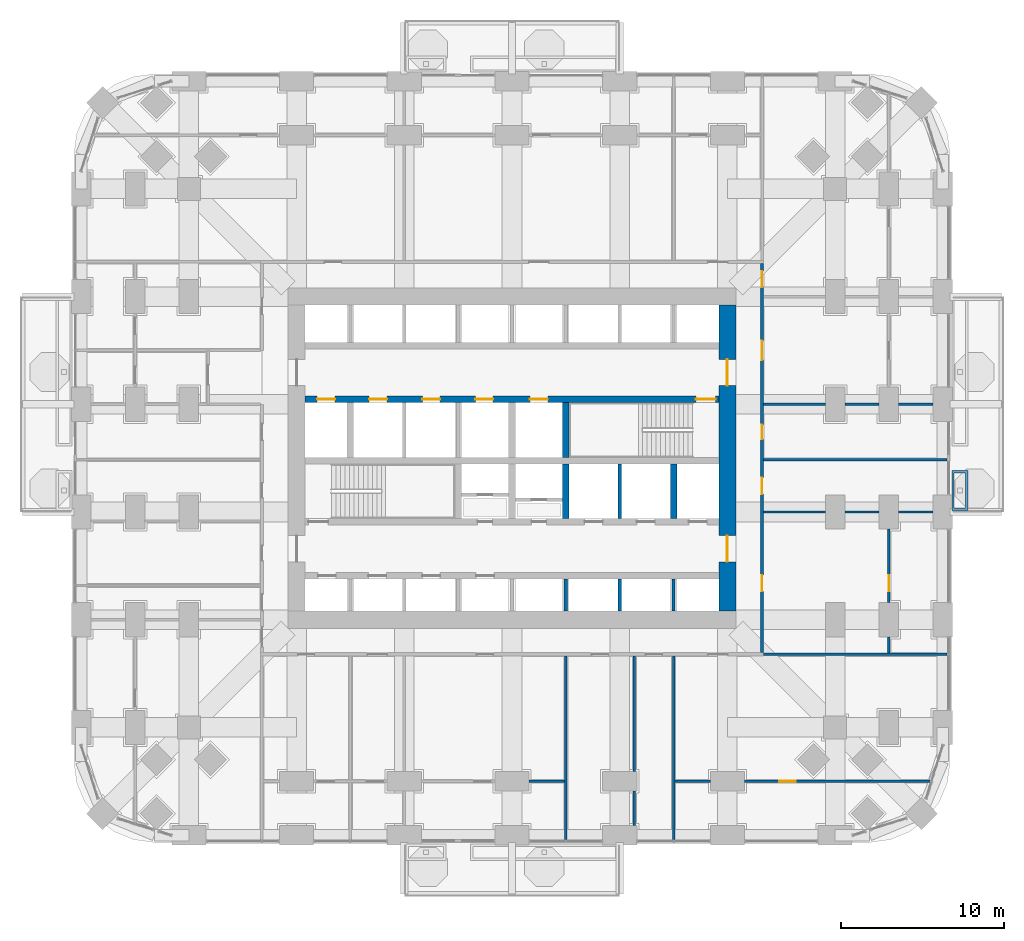
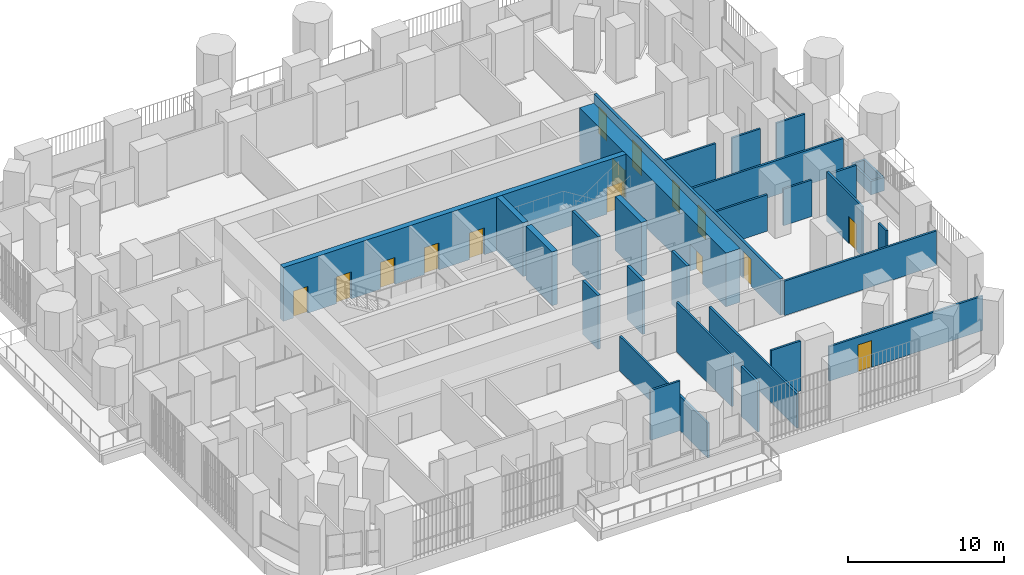
# One storey, part 19 of 26: 28 walls, 15 doors, 15 openings.
"""IFC4 building model written with IfcOpenShell, lengths in metres."""

from ifc_helpers import new_model, si_unit, direction, frame, frame_2d, origin, place, context, subcontext, project, spatial, polyline, rectangle, outline, extrude, material, layer, layer_set, type_object, element, fill, save


model = new_model("IFC4")

# Units and contexts
model_context = context("Model", 3, precision=1e-05, world=origin(), true_north=direction((0.0, 1.0)))
body_context = subcontext(model_context, "Body", "Model", "MODEL_VIEW")
ifc_project = project(units=[si_unit("LENGTHUNIT", "METRE"), si_unit("AREAUNIT", "SQUARE_METRE"), si_unit("VOLUMEUNIT", "CUBIC_METRE"), si_unit("PLANEANGLEUNIT", "RADIAN"), si_unit("MASSUNIT", "GRAM", prefix="KILO")], contexts=[model_context])

# Site, building, storey
site_placement = place(None, origin())
site = spatial("IfcSite", under=ifc_project, at=site_placement, CompositionType="ELEMENT")
building_placement = place(site_placement, origin())
building = spatial("IfcBuilding", under=site, at=building_placement, Name="Cobogo Forest Laboratory Tower", CompositionType="ELEMENT")
storey_placement = place(building_placement, frame((0.0, 0.0, 42.300048828125)))
storey = spatial("IfcBuildingStorey", under=building, at=storey_placement, Name="L09", CompositionType="ELEMENT", Elevation=42.300048828125)

# Wall, openings, doors
ifc_material_1 = material(Name="Concrete HA-50 (C50/60)", Category="concrete")
ifc_layer_1 = layer(ifc_material_1, 0.39990234375)
ifc_layer_set_1 = layer_set([ifc_layer_1], Name="CI400 core inner wall 400")
wall_type_1 = type_object("IfcWallType", Name="CI400 core inner wall 400", PredefinedType="SHEAR", material=ifc_layer_set_1)
wall_1_placement = place(storey_placement, frame((13.72509765625, 26.699951171875, 0.0), z_axis=(0.0, 0.0, 1.0), x_axis=(1.0, 0.0, 0.0)))
wall_1 = element("IfcWall", 1, at=wall_1_placement, inside=storey, type_object=wall_type_1, Name="Core wall CI-26.7 L09", PredefinedType="SHEAR", context=body_context, shape_type="SweptSolid", body=[
    extrude(rectangle(XDim=25.349853515625, YDim=0.39990234375, at=frame_2d((12.6748046875, 0.0))), origin(), (0.0, 0.0, 1.0), 4.199951171875),
])
opening_1_placement = place(wall_1_placement, frame((23.949951171875, 0.0, 0.0)))
opening_1 = element("IfcOpeningElement", 2, at=opening_1_placement, cuts=wall_1, Name="Opening L09-D31", PredefinedType="OPENING", context=body_context, shape_type="SweptSolid", body=[
    extrude(rectangle(XDim=1.199951171875, YDim=2.10009765625, at=frame_2d((0.60009765625, 1.050048828125))), frame((0.0, 0.2099609375, 0.0), z_axis=(0.0, -1.0, 0.0), x_axis=(1.0, 0.0, 0.0)), (0.0, 0.0, 1.0), 0.419921875),
])
opening_2_placement = place(wall_1_placement, frame((0.737548828125, 0.0, 0.0)))
opening_2 = element("IfcOpeningElement", 3, at=opening_2_placement, cuts=wall_1, Name="Opening L09-LD-FL1", PredefinedType="OPENING", context=body_context, shape_type="SweptSolid", body=[
    extrude(rectangle(XDim=1.10009765625, YDim=2.10009765625, at=frame_2d((0.550048828125, 1.050048828125))), frame((0.0, 0.2099609375, 0.0), z_axis=(0.0, -1.0, 0.0), x_axis=(1.0, 0.0, 0.0)), (0.0, 0.0, 1.0), 0.419921875),
])
opening_3_placement = place(wall_1_placement, frame((3.925048828125, 0.0, 0.0)))
opening_3 = element("IfcOpeningElement", 4, at=opening_3_placement, cuts=wall_1, Name="Opening L09-LD-LS3", PredefinedType="OPENING", context=body_context, shape_type="SweptSolid", body=[
    extrude(rectangle(XDim=1.10009765625, YDim=2.10009765625, at=frame_2d((0.550048828125, 1.050048828125))), frame((0.0, 0.2099609375, 0.0), z_axis=(0.0, -1.0, 0.0), x_axis=(1.0, 0.0, 0.0)), (0.0, 0.0, 1.0), 0.419921875),
])
opening_4_placement = place(wall_1_placement, frame((7.175048828125, 0.0, 0.0)))
opening_4 = element("IfcOpeningElement", 5, at=opening_4_placement, cuts=wall_1, Name="Opening L09-LD-LS4", PredefinedType="OPENING", context=body_context, shape_type="SweptSolid", body=[
    extrude(rectangle(XDim=1.10009765625, YDim=2.10009765625, at=frame_2d((0.550048828125, 1.050048828125))), frame((0.0, 0.2099609375, 0.0), z_axis=(0.0, -1.0, 0.0), x_axis=(1.0, 0.0, 0.0)), (0.0, 0.0, 1.0), 0.419921875),
])
opening_5_placement = place(wall_1_placement, frame((10.425048828125, 0.0, 0.0)))
opening_5 = element("IfcOpeningElement", 6, at=opening_5_placement, cuts=wall_1, Name="Opening L09-LD-LS5", PredefinedType="OPENING", context=body_context, shape_type="SweptSolid", body=[
    extrude(rectangle(XDim=1.10009765625, YDim=2.10009765625, at=frame_2d((0.550048828125, 1.050048828125))), frame((0.0, 0.2099609375, 0.0), z_axis=(0.0, -1.0, 0.0), x_axis=(1.0, 0.0, 0.0)), (0.0, 0.0, 1.0), 0.419921875),
])
opening_6_placement = place(wall_1_placement, frame((13.77490234375, 0.0, 0.0)))
opening_6 = element("IfcOpeningElement", 7, at=opening_6_placement, cuts=wall_1, Name="Opening L09-LD-LS6", PredefinedType="OPENING", context=body_context, shape_type="SweptSolid", body=[
    extrude(rectangle(XDim=1.10009765625, YDim=2.10009765625, at=frame_2d((0.550048828125, 1.050048828125))), frame((0.0, 0.2099609375, 0.0), z_axis=(0.0, -1.0, 0.0), x_axis=(1.0, 0.0, 0.0)), (0.0, 0.0, 1.0), 0.419921875),
])
ifc_material_2 = material(Name="Steel fire door", Category="steel")
door_type_1 = type_object("IfcDoorType", Name="DS1 protected stair door 1200 EI2 60", OperationType="SINGLE_SWING_LEFT", PredefinedType="DOOR", material=ifc_material_2)
door_1_placement = place(opening_1_placement, origin())
door_1 = element("IfcDoor", 8, at=door_1_placement, inside=storey, type_object=door_type_1, Name="Door L09-ST2", OperationType="SINGLE_SWING_RIGHT", OverallHeight=2.10009765625, OverallWidth=1.199951171875, PredefinedType="DOOR", context=body_context, shape_type="SweptSolid", body=[
    extrude(rectangle(XDim=1.199951171875, YDim=2.10009765625, at=frame_2d((0.60009765625, 1.050048828125))), frame((0.0, 0.02490234375, 0.0), z_axis=(0.0, -1.0, 0.0), x_axis=(1.0, 0.0, 0.0)), (0.0, 0.0, 1.0), 0.050048828125),
])
fill(opening_1, door_1)
ifc_material_3 = material(Name="Stainless steel lift door", Category="steel")
door_type_2 = type_object("IfcDoorType", Name="LD lift landing door 1100", OperationType="DOUBLE_DOOR_SLIDING", PredefinedType="DOOR", material=ifc_material_3)
door_2_placement = place(opening_2_placement, origin())
door_2 = element("IfcDoor", 9, at=door_2_placement, inside=storey, type_object=door_type_2, Name="Lift landing door FL1 L09", OperationType="DOUBLE_DOOR_SLIDING", OverallHeight=2.10009765625, OverallWidth=1.10009765625, PredefinedType="DOOR", context=body_context, shape_type="SweptSolid", body=[
    extrude(rectangle(XDim=1.10009765625, YDim=2.10009765625, at=frame_2d((0.550048828125, 1.050048828125))), frame((0.0, 0.02490234375, 0.0), z_axis=(0.0, -1.0, 0.0), x_axis=(1.0, 0.0, 0.0)), (0.0, 0.0, 1.0), 0.050048828125),
])
fill(opening_2, door_2)
door_3_placement = place(opening_3_placement, origin())
door_3 = element("IfcDoor", 10, at=door_3_placement, inside=storey, type_object=door_type_2, Name="Lift landing door LS3 L09", OperationType="DOUBLE_DOOR_SLIDING", OverallHeight=2.10009765625, OverallWidth=1.10009765625, PredefinedType="DOOR", context=body_context, shape_type="SweptSolid", body=[
    extrude(rectangle(XDim=1.10009765625, YDim=2.10009765625, at=frame_2d((0.550048828125, 1.050048828125))), frame((0.0, 0.02490234375, 0.0), z_axis=(0.0, -1.0, 0.0), x_axis=(1.0, 0.0, 0.0)), (0.0, 0.0, 1.0), 0.050048828125),
])
fill(opening_3, door_3)
door_4_placement = place(opening_4_placement, origin())
door_4 = element("IfcDoor", 11, at=door_4_placement, inside=storey, type_object=door_type_2, Name="Lift landing door LS4 L09", OperationType="DOUBLE_DOOR_SLIDING", OverallHeight=2.10009765625, OverallWidth=1.10009765625, PredefinedType="DOOR", context=body_context, shape_type="SweptSolid", body=[
    extrude(rectangle(XDim=1.10009765625, YDim=2.10009765625, at=frame_2d((0.550048828125, 1.050048828125))), frame((0.0, 0.02490234375, 0.0), z_axis=(0.0, -1.0, 0.0), x_axis=(1.0, 0.0, 0.0)), (0.0, 0.0, 1.0), 0.050048828125),
])
fill(opening_4, door_4)
door_5_placement = place(opening_5_placement, origin())
door_5 = element("IfcDoor", 12, at=door_5_placement, inside=storey, type_object=door_type_2, Name="Lift landing door LS5 L09", OperationType="DOUBLE_DOOR_SLIDING", OverallHeight=2.10009765625, OverallWidth=1.10009765625, PredefinedType="DOOR", context=body_context, shape_type="SweptSolid", body=[
    extrude(rectangle(XDim=1.10009765625, YDim=2.10009765625, at=frame_2d((0.550048828125, 1.050048828125))), frame((0.0, 0.02490234375, 0.0), z_axis=(0.0, -1.0, 0.0), x_axis=(1.0, 0.0, 0.0)), (0.0, 0.0, 1.0), 0.050048828125),
])
fill(opening_5, door_5)
door_6_placement = place(opening_6_placement, origin())
door_6 = element("IfcDoor", 13, at=door_6_placement, inside=storey, type_object=door_type_2, Name="Lift landing door LS6 L09", OperationType="DOUBLE_DOOR_SLIDING", OverallHeight=2.10009765625, OverallWidth=1.10009765625, PredefinedType="DOOR", context=body_context, shape_type="SweptSolid", body=[
    extrude(rectangle(XDim=1.10009765625, YDim=2.10009765625, at=frame_2d((0.550048828125, 1.050048828125))), frame((0.0, 0.02490234375, 0.0), z_axis=(0.0, -1.0, 0.0), x_axis=(1.0, 0.0, 0.0)), (0.0, 0.0, 1.0), 0.050048828125),
])
fill(opening_6, door_6)

# Walls
for number, where, z_axis, x_axis, name in (
    (14, (29.699951171875, 19.39990234375, 0.0), (0.0, 0.0, 1.0), (0.0, 1.0, 0.0), "Core wall CX-29.7S L09"),
    (15, (36.300048828125, 19.39990234375, 0.0), (0.0, 0.0, 1.0), (0.0, 1.0, 0.0), "Core wall CX-36.3 L09"),
    (16, (29.699951171875, 23.14990234375, 0.0), (0.0, 0.0, 1.0), (0.0, 1.0, 0.0), "Core wall CX-29.7N L09"),
):
    element("IfcWall", number, at=place(storey_placement, frame(where, z_axis=z_axis, x_axis=x_axis)), inside=storey, type_object=wall_type_1, Name=name, PredefinedType="SHEAR", context=body_context, shape_type="SweptSolid", body=[
        extrude(rectangle(XDim=3.35009765625, YDim=0.39990234375, at=frame_2d((1.675048828125, 0.0))), origin(), (0.0, 0.0, 1.0), 4.199951171875),
    ])

# Wall, openings, doors
ifc_layer_2 = layer(ifc_material_1, 1.050048828125)
ifc_layer_set_2 = layer_set([ifc_layer_2], Name="CW1050 core outer wall 1050")
wall_type_2 = type_object("IfcWallType", Name="CW1050 core outer wall 1050", PredefinedType="SHEAR", material=ifc_layer_set_2)
wall_2_placement = place(storey_placement, frame((39.60009765625, 13.72509765625, 0.0), z_axis=(0.0, 0.0, 1.0), x_axis=(0.0, 1.0, 0.0)))
wall_2 = element("IfcWall", 17, at=wall_2_placement, inside=storey, type_object=wall_type_2, Name="Core wall CO-E L09", PredefinedType="SHEAR", context=body_context, shape_type="SweptSolid", body=[
    extrude(rectangle(XDim=18.75, YDim=1.050048828125, at=frame_2d((9.375, 0.0))), origin(), (0.0, 0.0, 1.0), 4.199951171875),
])
opening_7_placement = place(wall_2_placement, frame((3.02490234375, 0.0, 0.0)))
opening_7 = element("IfcOpeningElement", 18, at=opening_7_placement, cuts=wall_2, Name="Opening L09-D19", PredefinedType="OPENING", context=body_context, shape_type="SweptSolid", body=[
    extrude(rectangle(XDim=1.60009765625, YDim=2.10009765625, at=frame_2d((0.800048828125, 1.050048828125))), frame((0.0, 0.534912109375, 0.0), z_axis=(0.0, -1.0, 0.0), x_axis=(1.0, 0.0, 0.0)), (0.0, 0.0, 1.0), 1.070068359375),
])
opening_8_placement = place(wall_2_placement, frame((13.824951171875, 0.0, 0.0)))
opening_8 = element("IfcOpeningElement", 19, at=opening_8_placement, cuts=wall_2, Name="Opening L09-D35", PredefinedType="OPENING", context=body_context, shape_type="SweptSolid", body=[
    extrude(rectangle(XDim=1.60009765625, YDim=2.10009765625, at=frame_2d((0.800048828125, 1.050048828125))), frame((0.0, 0.534912109375, 0.0), z_axis=(0.0, -1.0, 0.0), x_axis=(1.0, 0.0, 0.0)), (0.0, 0.0, 1.0), 1.070068359375),
])
door_type_3 = type_object("IfcDoorType", Name="DS2 protected lobby door pair 1600 EI2 60", OperationType="DOUBLE_DOOR_DOUBLE_SWING", PredefinedType="DOOR", material=ifc_material_2)
door_7_placement = place(opening_7_placement, origin())
door_7 = element("IfcDoor", 20, at=door_7_placement, inside=storey, type_object=door_type_3, Name="Door L09-CO-E-S", OperationType="DOUBLE_DOOR_DOUBLE_SWING", OverallHeight=2.10009765625, OverallWidth=1.60009765625, PredefinedType="DOOR", context=body_context, shape_type="SweptSolid", body=[
    extrude(rectangle(XDim=1.60009765625, YDim=2.10009765625, at=frame_2d((0.800048828125, 1.050048828125))), frame((0.0, 0.02490234375, 0.0), z_axis=(0.0, -1.0, 0.0), x_axis=(1.0, 0.0, 0.0)), (0.0, 0.0, 1.0), 0.050048828125),
])
fill(opening_7, door_7)
door_8_placement = place(opening_8_placement, origin())
door_8 = element("IfcDoor", 21, at=door_8_placement, inside=storey, type_object=door_type_3, Name="Door L09-CO-E-N", OperationType="DOUBLE_DOOR_DOUBLE_SWING", OverallHeight=2.10009765625, OverallWidth=1.60009765625, PredefinedType="DOOR", context=body_context, shape_type="SweptSolid", body=[
    extrude(rectangle(XDim=1.60009765625, YDim=2.10009765625, at=frame_2d((0.800048828125, 1.050048828125))), frame((0.0, 0.02490234375, 0.0), z_axis=(0.0, -1.0, 0.0), x_axis=(1.0, 0.0, 0.0)), (0.0, 0.0, 1.0), 0.050048828125),
])
fill(opening_8, door_8)

# Walls
ifc_material_4 = material(Name="Gypsum board on steel studs", Category="steel")
ifc_layer_3 = layer(ifc_material_4, 0.14990234375)
ifc_layer_set_3 = layer_set([ifc_layer_3], Name="PT1 laboratory partition 150")
wall_type_3 = type_object("IfcWallType", Name="PT1 laboratory partition 150", PredefinedType="PARTITIONING", material=ifc_layer_set_3)
wall_3_placement = place(storey_placement, frame((53.070068359375, 11.074951171875, 0.0), z_axis=(0.0, 0.0, 1.0), x_axis=(-1.0, 0.0, 0.0)))
element("IfcWall", 22, at=wall_3_placement, inside=storey, type_object=wall_type_3, Name="Partition PW-SE L09", PredefinedType="PARTITIONING", context=body_context, shape_type="SweptSolid", body=[
    extrude(rectangle(XDim=11.2451171875, YDim=0.14990234375, at=frame_2d((5.62255859375, 0.0))), origin(), (0.0, 0.0, 1.0), 2.699951171875),
])
for number, where, z_axis, x_axis, name in (
    (23, (27.449951171875, 3.300048828125, 0.0), (0.0, 0.0, 1.0), (1.0, 0.0, 0.0), "Partition STRIP-S-4 L09"),
    (24, (36.375, 3.300048828125, 0.0), (0.0, 0.0, 1.0), (1.0, 0.0, 0.0), "Partition STRIP-S-5 L09"),
):
    element("IfcWall", number, at=place(storey_placement, frame(where, z_axis=z_axis, x_axis=x_axis)), inside=storey, type_object=wall_type_3, Name=name, PredefinedType="PARTITIONING", context=body_context, shape_type="SweptSolid", body=[
        extrude(rectangle(XDim=2.175048828125, YDim=0.14990234375, at=frame_2d((1.08740234375, 0.0))), origin(), (0.0, 0.0, 1.0), 3.89990234375),
    ])

# Wall, opening, door
wall_4_placement = place(storey_placement, frame((40.64990234375, 3.300048828125, 0.0), z_axis=(0.0, 0.0, 1.0), x_axis=(1.0, 0.0, 0.0)))
wall_4 = element("IfcWall", 25, at=wall_4_placement, inside=storey, type_object=wall_type_3, Name="Partition STRIP-S-6 L09", PredefinedType="PARTITIONING", context=body_context, shape_type="SweptSolid", body=[
    extrude(rectangle(XDim=11.3740234375, YDim=0.14990234375, at=frame_2d((5.68701171875, 0.0))), origin(), (0.0, 0.0, 1.0), 2.699951171875),
])
opening_9_placement = place(wall_4_placement, frame((2.14208984375, 0.0, 0.0)))
opening_9 = element("IfcOpeningElement", 26, at=opening_9_placement, cuts=wall_4, Name="Opening L09-D05", PredefinedType="OPENING", context=body_context, shape_type="SweptSolid", body=[
    extrude(rectangle(XDim=1.0, YDim=2.10009765625, at=frame_2d((0.5, 1.050048828125))), frame((0.0, 0.0849609375, 0.0), z_axis=(0.0, -1.0, 0.0), x_axis=(1.0, 0.0, 0.0)), (0.0, 0.0, 1.0), 0.169921875),
])
ifc_material_5 = material(Name="Timber fire door", Category="wood")
door_type_4 = type_object("IfcDoorType", Name="FD2 fire door 1000 EI2 30", OperationType="SINGLE_SWING_LEFT", PredefinedType="DOOR", material=ifc_material_5)
door_9_placement = place(opening_9_placement, origin())
door_9 = element("IfcDoor", 27, at=door_9_placement, inside=storey, type_object=door_type_4, Name="Door L09-S4W", OperationType="SINGLE_SWING_LEFT", OverallHeight=2.10009765625, OverallWidth=1.0, PredefinedType="DOOR", context=body_context, shape_type="SweptSolid", body=[
    extrude(rectangle(XDim=1.0, YDim=2.10009765625, at=frame_2d((0.5, 1.050048828125))), frame((0.0, 0.02490234375, 0.0), z_axis=(0.0, -1.0, 0.0), x_axis=(1.0, 0.0, 0.0)), (0.0, 0.0, 1.0), 0.050048828125),
])
fill(opening_9, door_9)

# Walls
wall_5_placement = place(storey_placement, frame((33.89990234375, 0.60009765625, 0.0), z_axis=(0.0, 0.0, 1.0), x_axis=(0.0, 1.0, 0.0)))
element("IfcWall", 28, at=wall_5_placement, inside=storey, type_object=wall_type_3, Name="Partition SVC-S1-1 L09", PredefinedType="PARTITIONING", context=body_context, shape_type="SweptSolid", body=[
    extrude(rectangle(XDim=2.099853515625, YDim=0.14990234375, at=frame_2d((1.0498046875, 0.0))), origin(), (0.0, 0.0, 1.0), 3.89990234375),
])
wall_6_placement = place(storey_placement, frame((33.89990234375, 3.89990234375, 0.0), z_axis=(0.0, 0.0, 1.0), x_axis=(0.0, 1.0, 0.0)))
element("IfcWall", 29, at=wall_6_placement, inside=storey, type_object=wall_type_3, Name="Partition SVC-S1-2 L09", PredefinedType="PARTITIONING", context=body_context, shape_type="SweptSolid", body=[
    extrude(rectangle(XDim=7.0751953125, YDim=0.14990234375, at=frame_2d((3.53759765625, 0.0))), origin(), (0.0, 0.0, 1.0), 3.89990234375),
])
for number, where, z_axis, x_axis, name in (
    (30, (36.300048828125, -0.27001953125, 0.0), (0.0, 0.0, 1.0), (0.0, 1.0, 0.0), "Partition SVC-S2-1 L09"),
    (31, (29.699951171875, -0.27001953125, 0.0), (0.0, 0.0, 1.0), (0.0, 1.0, 0.0), "Partition CUT-S29.7-1 L09"),
):
    element("IfcWall", number, at=place(storey_placement, frame(where, z_axis=z_axis, x_axis=x_axis)), inside=storey, type_object=wall_type_3, Name=name, PredefinedType="PARTITIONING", context=body_context, shape_type="SweptSolid", body=[
        extrude(rectangle(XDim=11.2451171875, YDim=0.14990234375, at=frame_2d((5.62255859375, 0.0))), origin(), (0.0, 0.0, 1.0), 2.699951171875),
    ])
wall_7_placement = place(storey_placement, frame((49.5, 11.14990234375, 0.0), z_axis=(0.0, 0.0, 1.0), x_axis=(0.0, 1.0, 0.0)))
element("IfcWall", 32, at=wall_7_placement, inside=storey, type_object=wall_type_3, Name="Partition STRIP-E-1 L09", PredefinedType="PARTITIONING", context=body_context, shape_type="SweptSolid", body=[
    extrude(rectangle(XDim=1.0, YDim=0.14990234375, at=frame_2d((0.5, 0.0))), origin(), (0.0, 0.0, 1.0), 3.89990234375),
])

# Wall, opening, door
wall_8_placement = place(storey_placement, frame((49.5, 14.25, 0.0), z_axis=(0.0, 0.0, 1.0), x_axis=(0.0, 1.0, 0.0)))
wall_8 = element("IfcWall", 33, at=wall_8_placement, inside=storey, type_object=wall_type_3, Name="Partition STRIP-E-2 L09", PredefinedType="PARTITIONING", context=body_context, shape_type="SweptSolid", body=[
    extrude(rectangle(XDim=4.5, YDim=0.14990234375, at=frame_2d((2.25, 0.0))), origin(), (0.0, 0.0, 1.0), 3.89990234375),
])
opening_10_placement = place(wall_8_placement, frame((0.6875, 0.0, 0.0)))
opening_10 = element("IfcOpeningElement", 34, at=opening_10_placement, cuts=wall_8, Name="Opening L09-D16", PredefinedType="OPENING", context=body_context, shape_type="SweptSolid", body=[
    extrude(rectangle(XDim=1.0, YDim=2.10009765625, at=frame_2d((0.5, 1.050048828125))), frame((0.0, 0.0849609375, 0.0), z_axis=(0.0, -1.0, 0.0), x_axis=(1.0, 0.0, 0.0)), (0.0, 0.0, 1.0), 0.169921875),
])
door_10_placement = place(opening_10_placement, origin())
door_10 = element("IfcDoor", 35, at=door_10_placement, inside=storey, type_object=door_type_4, Name="Door L09-E1W", OperationType="SINGLE_SWING_LEFT", OverallHeight=2.10009765625, OverallWidth=1.0, PredefinedType="DOOR", context=body_context, shape_type="SweptSolid", body=[
    extrude(rectangle(XDim=1.0, YDim=2.10009765625, at=frame_2d((0.5, 1.050048828125))), frame((0.0, 0.02490234375, 0.0), z_axis=(0.0, -1.0, 0.0), x_axis=(1.0, 0.0, 0.0)), (0.0, 0.0, 1.0), 0.050048828125),
])
fill(opening_10, door_10)

# Walls
wall_9_placement = place(storey_placement, frame((53.070068359375, 23.0, 0.0), z_axis=(0.0, 0.0, 1.0), x_axis=(-1.0, 0.0, 0.0)))
element("IfcWall", 36, at=wall_9_placement, inside=storey, type_object=wall_type_3, Name="Partition SVC-E1-1 L09", PredefinedType="PARTITIONING", context=body_context, shape_type="SweptSolid", body=[
    extrude(rectangle(XDim=11.2451171875, YDim=0.14990234375, at=frame_2d((5.62255859375, 0.0))), origin(), (0.0, 0.0, 1.0), 2.699951171875),
])
for number, where, z_axis, x_axis, name in (
    (37, (52.199951171875, 26.39990234375, 0.0), (0.0, 0.0, 1.0), (-1.0, 0.0, 0.0), "Partition SVC-E2-1 L09"),
    (38, (48.89990234375, 26.39990234375, 0.0), (0.0, 0.0, 1.0), (-1.0, 0.0, 0.0), "Partition SVC-E2-2 L09"),
):
    element("IfcWall", number, at=place(storey_placement, frame(where, z_axis=z_axis, x_axis=x_axis)), inside=storey, type_object=wall_type_3, Name=name, PredefinedType="PARTITIONING", context=body_context, shape_type="SweptSolid", body=[
        extrude(rectangle(XDim=2.099853515625, YDim=0.14990234375, at=frame_2d((1.0498046875, 0.0))), origin(), (0.0, 0.0, 1.0), 2.849853515625),
    ])
wall_10_placement = place(storey_placement, frame((45.60009765625, 26.39990234375, 0.0), z_axis=(0.0, 0.0, 1.0), x_axis=(-1.0, 0.0, 0.0)))
element("IfcWall", 39, at=wall_10_placement, inside=storey, type_object=wall_type_3, Name="Partition SVC-E2-3 L09", PredefinedType="PARTITIONING", context=body_context, shape_type="SweptSolid", body=[
    extrude(rectangle(XDim=3.775146484375, YDim=0.14990234375, at=frame_2d((1.8876953125, 0.0))), origin(), (0.0, 0.0, 1.0), 2.849853515625),
])
for number, where, z_axis, x_axis, name in (
    (40, (52.199951171875, 19.800048828125, 0.0), (0.0, 0.0, 1.0), (-1.0, 0.0, 0.0), "Partition CUT-E19.8-1 L09"),
    (41, (48.89990234375, 19.800048828125, 0.0), (0.0, 0.0, 1.0), (-1.0, 0.0, 0.0), "Partition CUT-E19.8-2 L09"),
):
    element("IfcWall", number, at=place(storey_placement, frame(where, z_axis=z_axis, x_axis=x_axis)), inside=storey, type_object=wall_type_3, Name=name, PredefinedType="PARTITIONING", context=body_context, shape_type="SweptSolid", body=[
        extrude(rectangle(XDim=2.099853515625, YDim=0.14990234375, at=frame_2d((1.0498046875, 0.0))), origin(), (0.0, 0.0, 1.0), 2.849853515625),
    ])
wall_11_placement = place(storey_placement, frame((45.60009765625, 19.800048828125, 0.0), z_axis=(0.0, 0.0, 1.0), x_axis=(-1.0, 0.0, 0.0)))
element("IfcWall", 42, at=wall_11_placement, inside=storey, type_object=wall_type_3, Name="Partition CUT-E19.8-3 L09", PredefinedType="PARTITIONING", context=body_context, shape_type="SweptSolid", body=[
    extrude(rectangle(XDim=3.775146484375, YDim=0.14990234375, at=frame_2d((1.8876953125, 0.0))), origin(), (0.0, 0.0, 1.0), 2.849853515625),
])

# Wall, openings, doors
ifc_layer_4 = layer(ifc_material_4, 0.199951171875)
ifc_layer_set_4 = layer_set([ifc_layer_4], Name="PT2 fire-rated corridor partition 200")
wall_type_4 = type_object("IfcWallType", Name="PT2 fire-rated corridor partition 200", PredefinedType="PARTITIONING", material=ifc_layer_set_4)
wall_12_placement = place(storey_placement, frame((41.72509765625, 11.175048828125, 0.0), z_axis=(0.0, 0.0, 1.0), x_axis=(0.0, 1.0, 0.0)))
wall_12 = element("IfcWall", 43, at=wall_12_placement, inside=storey, type_object=wall_type_4, Name="Partition CORR-E L09", PredefinedType="PARTITIONING", context=body_context, shape_type="SweptSolid", body=[
    extrude(rectangle(XDim=23.849853515625, YDim=0.199951171875, at=frame_2d((11.9248046875, 0.0))), origin(), (0.0, 0.0, 1.0), 2.849853515625),
])
opening_11_placement = place(wall_12_placement, frame((3.762451171875, 0.0, 0.0)))
opening_11 = element("IfcOpeningElement", 44, at=opening_11_placement, cuts=wall_12, Name="Opening L09-D15", PredefinedType="OPENING", context=body_context, shape_type="SweptSolid", body=[
    extrude(rectangle(XDim=1.0, YDim=2.10009765625, at=frame_2d((0.5, 1.050048828125))), frame((0.0, 0.10986328125, 0.0), z_axis=(0.0, -1.0, 0.0), x_axis=(1.0, 0.0, 0.0)), (0.0, 0.0, 1.0), 0.219970703125),
])
opening_12_placement = place(wall_12_placement, frame((9.72509765625, 0.0, 0.0)))
opening_12 = element("IfcOpeningElement", 45, at=opening_12_placement, cuts=wall_12, Name="Opening L09-D26", PredefinedType="OPENING", context=body_context, shape_type="SweptSolid", body=[
    extrude(rectangle(XDim=1.0, YDim=2.10009765625, at=frame_2d((0.5, 1.050048828125))), frame((0.0, 0.10986328125, 0.0), z_axis=(0.0, -1.0, 0.0), x_axis=(1.0, 0.0, 0.0)), (0.0, 0.0, 1.0), 0.219970703125),
])
opening_13_placement = place(wall_12_placement, frame((13.074951171875, 0.0, 0.0)))
opening_13 = element("IfcOpeningElement", 46, at=opening_13_placement, cuts=wall_12, Name="Opening L09-D30", PredefinedType="OPENING", context=body_context, shape_type="SweptSolid", body=[
    extrude(rectangle(XDim=0.89990234375, YDim=2.10009765625, at=frame_2d((0.449951171875, 1.050048828125))), frame((0.0, 0.10986328125, 0.0), z_axis=(0.0, -1.0, 0.0), x_axis=(1.0, 0.0, 0.0)), (0.0, 0.0, 1.0), 0.219970703125),
])
opening_14_placement = place(wall_12_placement, frame((17.925048828125, 0.0, 0.0)))
opening_14 = element("IfcOpeningElement", 47, at=opening_14_placement, cuts=wall_12, Name="Opening L09-D36", PredefinedType="OPENING", context=body_context, shape_type="SweptSolid", body=[
    extrude(rectangle(XDim=1.199951171875, YDim=2.10009765625, at=frame_2d((0.60009765625, 1.050048828125))), frame((0.0, 0.10986328125, 0.0), z_axis=(0.0, -1.0, 0.0), x_axis=(1.0, 0.0, 0.0)), (0.0, 0.0, 1.0), 0.219970703125),
])
opening_15_placement = place(wall_12_placement, frame((22.387451171875, 0.0, 0.0)))
opening_15 = element("IfcOpeningElement", 48, at=opening_15_placement, cuts=wall_12, Name="Opening L09-D40", PredefinedType="OPENING", context=body_context, shape_type="SweptSolid", body=[
    extrude(rectangle(XDim=1.0, YDim=2.10009765625, at=frame_2d((0.5, 1.050048828125))), frame((0.0, 0.10986328125, 0.0), z_axis=(0.0, -1.0, 0.0), x_axis=(1.0, 0.0, 0.0)), (0.0, 0.0, 1.0), 0.219970703125),
])
ifc_material_6 = material(Name="Timber door", Category="wood")
door_type_5 = type_object("IfcDoorType", Name="D2 laboratory door 1200 unequal pair", OperationType="DOUBLE_DOOR_SINGLE_SWING", PredefinedType="DOOR", material=ifc_material_6)
door_11_placement = place(opening_14_placement, origin())
door_11 = element("IfcDoor", 49, at=door_11_placement, inside=storey, type_object=door_type_5, Name="Door L09-E2", OperationType="DOUBLE_DOOR_SINGLE_SWING", OverallHeight=2.10009765625, OverallWidth=1.199951171875, PredefinedType="DOOR", context=body_context, shape_type="SweptSolid", body=[
    extrude(rectangle(XDim=1.199951171875, YDim=2.10009765625, at=frame_2d((0.60009765625, 1.050048828125))), frame((0.0, 0.02490234375, 0.0), z_axis=(0.0, -1.0, 0.0), x_axis=(1.0, 0.0, 0.0)), (0.0, 0.0, 1.0), 0.050048828125),
])
fill(opening_14, door_11)
door_type_6 = type_object("IfcDoorType", Name="FD1 fire door 1000 EI2 60", OperationType="SINGLE_SWING_LEFT", PredefinedType="DOOR", material=ifc_material_2)
door_12_placement = place(opening_11_placement, origin())
door_12 = element("IfcDoor", 50, at=door_12_placement, inside=storey, type_object=door_type_6, Name="Door L09-E1", OperationType="SINGLE_SWING_LEFT", OverallHeight=2.10009765625, OverallWidth=1.0, PredefinedType="DOOR", context=body_context, shape_type="SweptSolid", body=[
    extrude(rectangle(XDim=1.0, YDim=2.10009765625, at=frame_2d((0.5, 1.050048828125))), frame((0.0, 0.02490234375, 0.0), z_axis=(0.0, -1.0, 0.0), x_axis=(1.0, 0.0, 0.0)), (0.0, 0.0, 1.0), 0.050048828125),
])
fill(opening_11, door_12)
door_13_placement = place(opening_12_placement, origin())
door_13 = element("IfcDoor", 51, at=door_13_placement, inside=storey, type_object=door_type_6, Name="Door L09-ELEC", OperationType="SINGLE_SWING_LEFT", OverallHeight=2.10009765625, OverallWidth=1.0, PredefinedType="DOOR", context=body_context, shape_type="SweptSolid", body=[
    extrude(rectangle(XDim=1.0, YDim=2.10009765625, at=frame_2d((0.5, 1.050048828125))), frame((0.0, 0.02490234375, 0.0), z_axis=(0.0, -1.0, 0.0), x_axis=(1.0, 0.0, 0.0)), (0.0, 0.0, 1.0), 0.050048828125),
])
fill(opening_12, door_13)
door_14_placement = place(opening_15_placement, origin())
door_14 = element("IfcDoor", 52, at=door_14_placement, inside=storey, type_object=door_type_4, Name="Door L09-E3", OperationType="SINGLE_SWING_RIGHT", OverallHeight=2.10009765625, OverallWidth=1.0, PredefinedType="DOOR", context=body_context, shape_type="SweptSolid", body=[
    extrude(rectangle(XDim=1.0, YDim=2.10009765625, at=frame_2d((0.5, 1.050048828125))), frame((0.0, 0.02490234375, 0.0), z_axis=(0.0, -1.0, 0.0), x_axis=(1.0, 0.0, 0.0)), (0.0, 0.0, 1.0), 0.050048828125),
])
fill(opening_15, door_14)
door_type_7 = type_object("IfcDoorType", Name="FD4 riser access door 900 EI2 60", OperationType="SINGLE_SWING_LEFT", PredefinedType="DOOR", material=ifc_material_2)
door_15_placement = place(opening_13_placement, origin())
door_15 = element("IfcDoor", 53, at=door_15_placement, inside=storey, type_object=door_type_7, Name="Door L09-COMMS", OperationType="SINGLE_SWING_RIGHT", OverallHeight=2.10009765625, OverallWidth=0.89990234375, PredefinedType="DOOR", context=body_context, shape_type="SweptSolid", body=[
    extrude(rectangle(XDim=0.89990234375, YDim=2.10009765625, at=frame_2d((0.449951171875, 1.050048828125))), frame((0.0, 0.02490234375, 0.0), z_axis=(0.0, -1.0, 0.0), x_axis=(1.0, 0.0, 0.0)), (0.0, 0.0, 1.0), 0.050048828125),
])
fill(opening_13, door_15)

# Walls
ifc_material_7 = material(Name="Concrete HA-40 (C40/50)", Category="concrete")
ifc_layer_5 = layer(ifc_material_7, 0.14990234375)
ifc_layer_set_5 = layer_set([ifc_layer_5], Name="Planter box 1000x1050")
wall_type_5 = type_object("IfcWallType", Name="Planter box 1000x1050", PredefinedType="USERDEFINED", material=ifc_layer_set_5)
wall_13_placement = place(storey_placement, origin())
element("IfcWall", 54, at=wall_13_placement, inside=storey, type_object=wall_type_5, Name="Planter BAL-E1-1 L09", ObjectType="PLANTER", PredefinedType="USERDEFINED", context=body_context, shape_type="SweptSolid", body=[
    extrude(outline(polyline([(53.35009765625, 19.89990234375), (54.35009765625, 19.89990234375), (54.35009765625, 22.35009765625), (53.35009765625, 22.35009765625), (53.35009765625, 19.89990234375)]), holes=[polyline([(53.5, 20.050048828125), (54.199951171875, 20.050048828125), (54.199951171875, 22.199951171875), (53.5, 22.199951171875), (53.5, 20.050048828125)])]), origin(), (0.0, 0.0, 1.0), 1.050048828125),
])
ifc_material_8 = material(Name="Concrete block", Category="concrete")
ifc_layer_6 = layer(ifc_material_8, 0.199951171875)
ifc_layer_set_6 = layer_set([ifc_layer_6], Name="SW200 lift shaft separator 200")
wall_type_6 = type_object("IfcWallType", Name="SW200 lift shaft separator 200", PredefinedType="PARTITIONING", material=ifc_layer_set_6)
for number, where, z_axis, x_axis, name in (
    (55, (29.699951171875, 13.72509765625, 0.0), (0.0, 0.0, 1.0), (0.0, 1.0, 0.0), "Core wall SEP-S5 L09"),
    (56, (33.0, 13.72509765625, 0.0), (0.0, 0.0, 1.0), (0.0, 1.0, 0.0), "Core wall SEP-S6 L09"),
    (57, (36.300048828125, 13.72509765625, 0.0), (0.0, 0.0, 1.0), (0.0, 1.0, 0.0), "Core wall SEP-S7 L09"),
):
    element("IfcWall", number, at=place(storey_placement, frame(where, z_axis=z_axis, x_axis=x_axis)), inside=storey, type_object=wall_type_6, Name=name, PredefinedType="PARTITIONING", context=body_context, shape_type="SweptSolid", body=[
        extrude(rectangle(XDim=1.974853515625, YDim=0.199951171875, at=frame_2d((0.9873046875, 0.0))), origin(), (0.0, 0.0, 1.0), 4.199951171875),
    ])
wall_14_placement = place(storey_placement, frame((33.0, 19.39990234375, 0.0), z_axis=(0.0, 0.0, 1.0), x_axis=(0.0, 1.0, 0.0)))
element("IfcWall", 58, at=wall_14_placement, inside=storey, type_object=wall_type_6, Name="Core wall SEP-M33.0 L09", PredefinedType="PARTITIONING", context=body_context, shape_type="SweptSolid", body=[
    extrude(rectangle(XDim=3.35009765625, YDim=0.199951171875, at=frame_2d((1.675048828125, 0.0))), origin(), (0.0, 0.0, 1.0), 4.199951171875),
])

save(model, "model.ifc")
